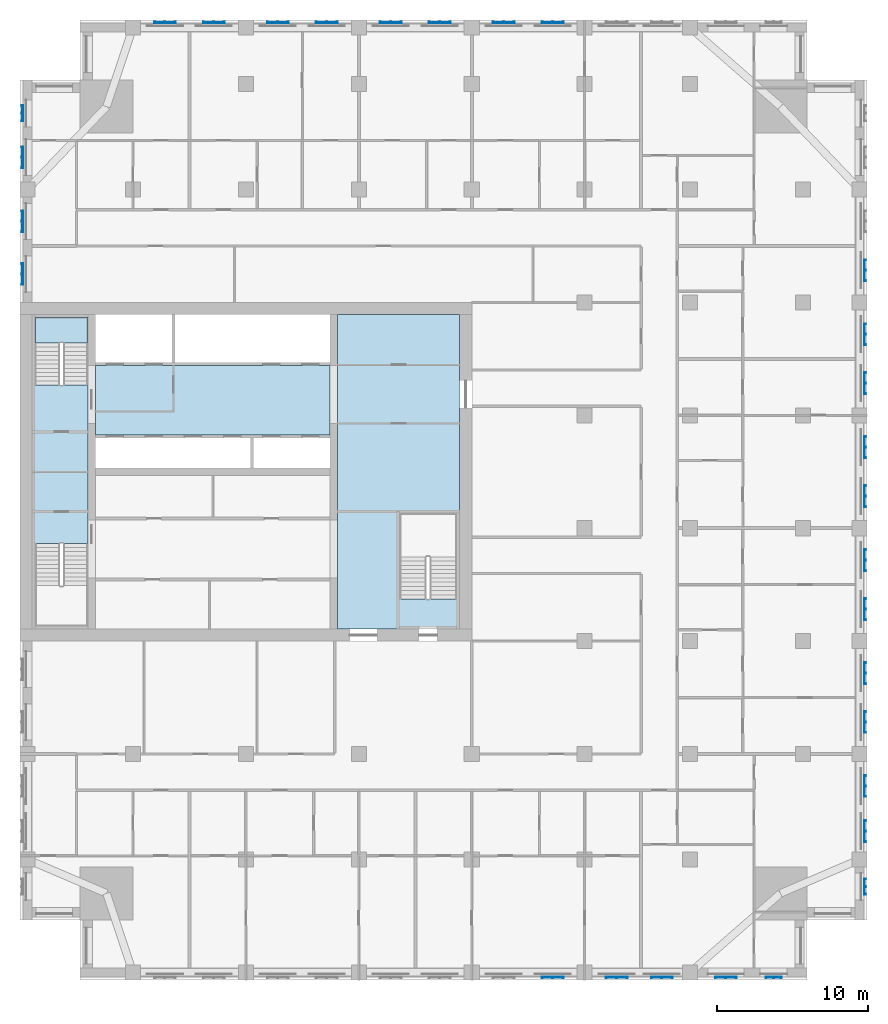
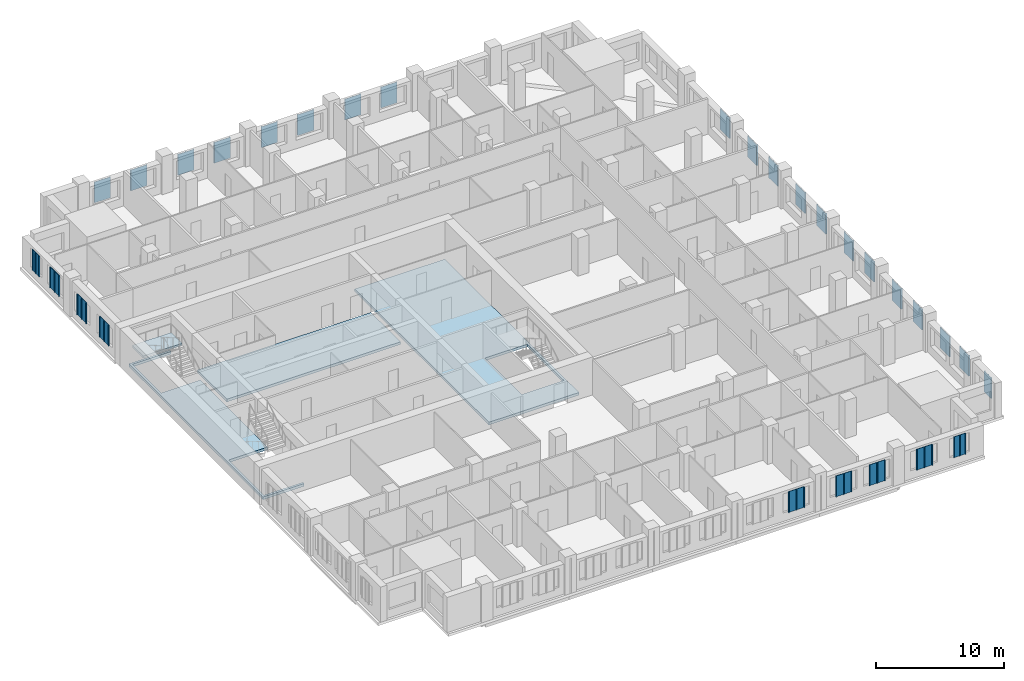
# One storey, part 2 of 13: 29 plates, 4 slabs, 1 element without a shape of its own.
"""IFC4 building model written with IfcOpenShell, lengths in metres."""

from ifc_helpers import new_model, si_unit, direction, frame, origin, place, context, subcontext, project, spatial, polyline, outline, extrude, material, layer, layer_set, type_object, element, aggregate, save


model = new_model("IFC4")

# Units and contexts
model_context = context("Model", 3, precision=1e-05, world=origin(), true_north=direction((0.0, 1.0)))
body_context = subcontext(model_context, "Body", "Model", "MODEL_VIEW")
ifc_project = project(units=[si_unit("LENGTHUNIT", "METRE"), si_unit("AREAUNIT", "SQUARE_METRE"), si_unit("VOLUMEUNIT", "CUBIC_METRE"), si_unit("PLANEANGLEUNIT", "RADIAN"), si_unit("MASSUNIT", "GRAM", prefix="KILO")], contexts=[model_context])

# Site, building, storey
site_placement = place(None, origin())
site = spatial("IfcSite", under=ifc_project, at=site_placement, CompositionType="ELEMENT")
building_placement = place(site_placement, origin())
building = spatial("IfcBuilding", under=site, at=building_placement, Name="Tamorin Gate", CompositionType="ELEMENT")
storey_placement = place(building_placement, frame((0.0, 0.0, 130.199951171875)))
storey = spatial("IfcBuildingStorey", under=building, at=storey_placement, Name="L31", CompositionType="ELEMENT", Elevation=130.199951171875)

# Slabs
ifc_material_1 = material(Name="Concrete C40/50", Category="concrete")
ifc_layer_1 = layer(ifc_material_1, 0.25)
ifc_layer_set_1 = layer_set([ifc_layer_1], Name="Core floor slab 250 C40/50")
slab_type_1 = type_object("IfcSlabType", Name="Core floor slab 250 C40/50", PredefinedType="FLOOR", material=ifc_layer_set_1)
slab_1_placement = place(storey_placement, frame((0.0, 0.0, -0.25)))
element("IfcSlab", 1, at=slab_1_placement, inside=storey, type_object=slab_type_1, Name="Core floor L31", PredefinedType="FLOOR", context=body_context, shape_type="SweptSolid", body=[
    extrude(outline(polyline([(51.10009765625, 81.699951171875), (59.199951171875, 81.699951171875), (59.199951171875, 60.800048828125), (51.10009765625, 60.800048828125), (51.10009765625, 81.699951171875)]), holes=[polyline([(55.199951171875, 62.800048828125), (59.0, 62.800048828125), (59.0, 68.5), (55.199951171875, 68.5), (55.199951171875, 62.800048828125)])]), origin(), (0.0, 0.0, 1.0), 0.25),
])
slab_2_placement = place(storey_placement, frame((0.0, 0.0, -0.25)))
element("IfcSlab", 2, at=slab_2_placement, inside=storey, type_object=slab_type_1, Name="Core floor L31", PredefinedType="FLOOR", context=body_context, shape_type="SweptSolid", body=[
    extrude(outline(polyline([(50.60009765625, 73.699951171875), (35.0, 73.699951171875), (35.0, 78.300048828125), (50.60009765625, 78.300048828125), (50.60009765625, 73.699951171875)])), origin(), (0.0, 0.0, 1.0), 0.25),
])
slab_3_placement = place(storey_placement, frame((0.0, 0.0, -0.25)))
element("IfcSlab", 3, at=slab_3_placement, inside=storey, type_object=slab_type_1, Name="Core floor L31", PredefinedType="FLOOR", context=body_context, shape_type="SweptSolid", body=[
    extrude(outline(polyline([(34.5, 60.800048828125), (30.800048828125, 60.800048828125), (30.800048828125, 81.699951171875), (34.5, 81.699951171875), (34.5, 81.5), (31.0, 81.5), (31.0, 77.0), (34.5, 77.0), (34.5, 66.5), (31.0, 66.5), (31.0, 61.0), (34.5, 61.0), (34.5, 60.800048828125)])), origin(), (0.0, 0.0, 1.0), 0.25),
])

# Stair, slab
stair_type = type_object("IfcStairType", Name="Exit stair", PredefinedType="HALF_TURN_STAIR", material=ifc_material_1)
stair_placement = place(storey_placement, origin())
stair = element("IfcStair", 4, at=stair_placement, inside=storey, type_object=stair_type, Name="L31 stair ST2", PredefinedType="HALF_TURN_STAIR")
ifc_layer_2 = layer(ifc_material_1, 0.199951171875)
ifc_layer_set_2 = layer_set([ifc_layer_2], Name="Exit stair landing 200")
slab_type_2 = type_object("IfcSlabType", Name="Exit stair landing 200", PredefinedType="LANDING", material=ifc_layer_set_2)
slab_4_placement = place(storey_placement, frame((0.0, 0.0, 1.60009765625)))
slab_4 = element("IfcSlab", 5, at=slab_4_placement, type_object=slab_type_2, Name="ST2 landing 1", PredefinedType="LANDING", context=body_context, shape_type="SweptSolid", body=[
    extrude(outline(polyline([(34.5, 79.800048828125), (34.5, 81.5), (31.0, 81.5), (31.0, 79.800048828125), (34.5, 79.800048828125)])), origin(), (0.0, 0.0, 1.0), 0.199951171875),
])
aggregate(stair, [slab_4])

# Plates
ifc_material_2 = material(Name="Perforated pale aluminium sheet", Category="aluminium")
ifc_layer_3 = layer(ifc_material_2, 0.0400390625)
ifc_layer_set_3 = layer_set([ifc_layer_3], Name="Pale metal solar screen 1080")
plate_type_1 = type_object("IfcPlateType", Name="Pale metal solar screen 1080", PredefinedType="SHEET", material=ifc_layer_set_3)
plate_1_placement = place(storey_placement, frame((0.0, 0.0, 0.7099609375)))
element("IfcPlate", 6, at=plate_1_placement, inside=storey, type_object=plate_type_1, Name="Perforated solar screen", PredefinedType="SHEET", context=body_context, shape_type="SweptSolid", body=[
    extrude(outline(polyline([(79.510009765625, 37.659912109375), (79.510009765625, 37.699951171875), (79.570068359375, 37.699951171875), (80.02001953125, 37.699951171875), (80.080078125, 37.699951171875), (80.530029296875, 37.699951171875), (80.590087890625, 37.699951171875), (80.590087890625, 37.659912109375), (80.590087890625, 37.60009765625), (80.530029296875, 37.60009765625), (80.530029296875, 37.659912109375), (80.080078125, 37.659912109375), (80.080078125, 37.60009765625), (80.02001953125, 37.60009765625), (80.02001953125, 37.659912109375), (79.570068359375, 37.659912109375), (79.570068359375, 37.60009765625), (79.510009765625, 37.60009765625), (79.510009765625, 37.659912109375)])), origin(), (0.0, 0.0, 1.0), 1.97998046875),
])
plate_2_placement = place(storey_placement, frame((0.0, 0.0, 0.7099609375)))
element("IfcPlate", 7, at=plate_2_placement, inside=storey, type_object=plate_type_1, Name="Perforated solar screen", PredefinedType="SHEET", context=body_context, shape_type="SweptSolid", body=[
    extrude(outline(polyline([(86.090087890625, 43.159912109375), (86.050048828125, 43.159912109375), (86.050048828125, 43.219970703125), (86.050048828125, 43.669921875), (86.050048828125, 43.72998046875), (86.050048828125, 44.179931640625), (86.050048828125, 44.239990234375), (86.090087890625, 44.239990234375), (86.14990234375, 44.239990234375), (86.14990234375, 44.179931640625), (86.090087890625, 44.179931640625), (86.090087890625, 43.72998046875), (86.14990234375, 43.72998046875), (86.14990234375, 43.669921875), (86.090087890625, 43.669921875), (86.090087890625, 43.219970703125), (86.14990234375, 43.219970703125), (86.14990234375, 43.159912109375), (86.090087890625, 43.159912109375)])), origin(), (0.0, 0.0, 1.0), 1.97998046875),
])
plate_3_placement = place(storey_placement, frame((0.0, 0.0, 0.7099609375)))
element("IfcPlate", 8, at=plate_3_placement, inside=storey, type_object=plate_type_1, Name="Perforated solar screen", PredefinedType="SHEET", context=body_context, shape_type="SweptSolid", body=[
    extrude(outline(polyline([(30.159912109375, 95.590087890625), (30.199951171875, 95.590087890625), (30.199951171875, 95.530029296875), (30.199951171875, 95.080078125), (30.199951171875, 95.02001953125), (30.199951171875, 94.570068359375), (30.199951171875, 94.510009765625), (30.159912109375, 94.510009765625), (30.10009765625, 94.510009765625), (30.10009765625, 94.570068359375), (30.159912109375, 94.570068359375), (30.159912109375, 95.02001953125), (30.10009765625, 95.02001953125), (30.10009765625, 95.080078125), (30.159912109375, 95.080078125), (30.159912109375, 95.530029296875), (30.10009765625, 95.530029296875), (30.10009765625, 95.590087890625), (30.159912109375, 95.590087890625)])), origin(), (0.0, 0.0, 1.0), 1.97998046875),
])
ifc_layer_4 = layer(ifc_material_2, 0.0400390625)
ifc_layer_set_4 = layer_set([ifc_layer_4], Name="Pale metal solar screen 1440")
plate_type_2 = type_object("IfcPlateType", Name="Pale metal solar screen 1440", PredefinedType="SHEET", material=ifc_layer_set_4)
plate_4_placement = place(storey_placement, frame((0.0, 0.0, 0.7099609375)))
element("IfcPlate", 9, at=plate_4_placement, inside=storey, type_object=plate_type_2, Name="Perforated solar screen", PredefinedType="SHEET", context=body_context, shape_type="SweptSolid", body=[
    extrude(outline(polyline([(64.655029296875, 37.659912109375), (64.655029296875, 37.699951171875), (64.715087890625, 37.699951171875), (65.344970703125, 37.699951171875), (65.405029296875, 37.699951171875), (66.034912109375, 37.699951171875), (66.094970703125, 37.699951171875), (66.094970703125, 37.659912109375), (66.094970703125, 37.60009765625), (66.034912109375, 37.60009765625), (66.034912109375, 37.659912109375), (65.405029296875, 37.659912109375), (65.405029296875, 37.60009765625), (65.344970703125, 37.60009765625), (65.344970703125, 37.659912109375), (64.715087890625, 37.659912109375), (64.715087890625, 37.60009765625), (64.655029296875, 37.60009765625), (64.655029296875, 37.659912109375)])), origin(), (0.0, 0.0, 1.0), 1.97998046875),
])
plate_5_placement = place(storey_placement, frame((0.0, 0.0, 0.7099609375)))
element("IfcPlate", 10, at=plate_5_placement, inside=storey, type_object=plate_type_2, Name="Perforated solar screen", PredefinedType="SHEET", context=body_context, shape_type="SweptSolid", body=[
    extrude(outline(polyline([(68.905029296875, 37.659912109375), (68.905029296875, 37.699951171875), (68.965087890625, 37.699951171875), (69.594970703125, 37.699951171875), (69.655029296875, 37.699951171875), (70.284912109375, 37.699951171875), (70.344970703125, 37.699951171875), (70.344970703125, 37.659912109375), (70.344970703125, 37.60009765625), (70.284912109375, 37.60009765625), (70.284912109375, 37.659912109375), (69.655029296875, 37.659912109375), (69.655029296875, 37.60009765625), (69.594970703125, 37.60009765625), (69.594970703125, 37.659912109375), (68.965087890625, 37.659912109375), (68.965087890625, 37.60009765625), (68.905029296875, 37.60009765625), (68.905029296875, 37.659912109375)])), origin(), (0.0, 0.0, 1.0), 1.97998046875),
])
plate_6_placement = place(storey_placement, frame((0.0, 0.0, 0.7099609375)))
element("IfcPlate", 11, at=plate_6_placement, inside=storey, type_object=plate_type_2, Name="Perforated solar screen", PredefinedType="SHEET", context=body_context, shape_type="SweptSolid", body=[
    extrude(outline(polyline([(71.905029296875, 37.659912109375), (71.905029296875, 37.699951171875), (71.965087890625, 37.699951171875), (72.594970703125, 37.699951171875), (72.655029296875, 37.699951171875), (73.284912109375, 37.699951171875), (73.344970703125, 37.699951171875), (73.344970703125, 37.659912109375), (73.344970703125, 37.60009765625), (73.284912109375, 37.60009765625), (73.284912109375, 37.659912109375), (72.655029296875, 37.659912109375), (72.655029296875, 37.60009765625), (72.594970703125, 37.60009765625), (72.594970703125, 37.659912109375), (71.965087890625, 37.659912109375), (71.965087890625, 37.60009765625), (71.905029296875, 37.60009765625), (71.905029296875, 37.659912109375)])), origin(), (0.0, 0.0, 1.0), 1.97998046875),
])
plate_7_placement = place(storey_placement, frame((0.0, 0.0, 0.7099609375)))
element("IfcPlate", 12, at=plate_7_placement, inside=storey, type_object=plate_type_2, Name="Perforated solar screen", PredefinedType="SHEET", context=body_context, shape_type="SweptSolid", body=[
    extrude(outline(polyline([(76.155029296875, 37.659912109375), (76.155029296875, 37.699951171875), (76.215087890625, 37.699951171875), (76.844970703125, 37.699951171875), (76.905029296875, 37.699951171875), (77.534912109375, 37.699951171875), (77.594970703125, 37.699951171875), (77.594970703125, 37.659912109375), (77.594970703125, 37.60009765625), (77.534912109375, 37.60009765625), (77.534912109375, 37.659912109375), (76.905029296875, 37.659912109375), (76.905029296875, 37.60009765625), (76.844970703125, 37.60009765625), (76.844970703125, 37.659912109375), (76.215087890625, 37.659912109375), (76.215087890625, 37.60009765625), (76.155029296875, 37.60009765625), (76.155029296875, 37.659912109375)])), origin(), (0.0, 0.0, 1.0), 1.97998046875),
])
plate_8_placement = place(storey_placement, frame((0.0, 0.0, 0.7099609375)))
element("IfcPlate", 13, at=plate_8_placement, inside=storey, type_object=plate_type_2, Name="Perforated solar screen", PredefinedType="SHEET", context=body_context, shape_type="SweptSolid", body=[
    extrude(outline(polyline([(86.090087890625, 46.655029296875), (86.050048828125, 46.655029296875), (86.050048828125, 46.715087890625), (86.050048828125, 47.344970703125), (86.050048828125, 47.405029296875), (86.050048828125, 48.034912109375), (86.050048828125, 48.094970703125), (86.050048828125, 48.094970703125), (86.090087890625, 48.094970703125), (86.090087890625, 48.094970703125), (86.14990234375, 48.094970703125), (86.14990234375, 48.034912109375), (86.090087890625, 48.034912109375), (86.090087890625, 47.405029296875), (86.14990234375, 47.405029296875), (86.14990234375, 47.344970703125), (86.090087890625, 47.344970703125), (86.090087890625, 46.715087890625), (86.14990234375, 46.715087890625), (86.14990234375, 46.655029296875), (86.090087890625, 46.655029296875)])), origin(), (0.0, 0.0, 1.0), 1.97998046875),
])
plate_9_placement = place(storey_placement, frame((0.0, 0.0, 0.7099609375)))
element("IfcPlate", 14, at=plate_9_placement, inside=storey, type_object=plate_type_2, Name="Perforated solar screen", PredefinedType="SHEET", context=body_context, shape_type="SweptSolid", body=[
    extrude(outline(polyline([(86.090087890625, 49.655029296875), (86.050048828125, 49.655029296875), (86.050048828125, 49.715087890625), (86.050048828125, 50.344970703125), (86.050048828125, 50.405029296875), (86.050048828125, 51.034912109375), (86.050048828125, 51.094970703125), (86.090087890625, 51.094970703125), (86.14990234375, 51.094970703125), (86.14990234375, 51.034912109375), (86.090087890625, 51.034912109375), (86.090087890625, 50.405029296875), (86.14990234375, 50.405029296875), (86.14990234375, 50.344970703125), (86.090087890625, 50.344970703125), (86.090087890625, 49.715087890625), (86.14990234375, 49.715087890625), (86.14990234375, 49.655029296875), (86.090087890625, 49.655029296875)])), origin(), (0.0, 0.0, 1.0), 1.97998046875),
])
plate_10_placement = place(storey_placement, frame((0.0, 0.0, 0.7099609375)))
element("IfcPlate", 15, at=plate_10_placement, inside=storey, type_object=plate_type_2, Name="Perforated solar screen", PredefinedType="SHEET", context=body_context, shape_type="SweptSolid", body=[
    extrude(outline(polyline([(86.090087890625, 53.905029296875), (86.050048828125, 53.905029296875), (86.050048828125, 53.965087890625), (86.050048828125, 54.594970703125), (86.050048828125, 54.655029296875), (86.050048828125, 55.284912109375), (86.050048828125, 55.344970703125), (86.090087890625, 55.344970703125), (86.14990234375, 55.344970703125), (86.14990234375, 55.284912109375), (86.090087890625, 55.284912109375), (86.090087890625, 54.655029296875), (86.14990234375, 54.655029296875), (86.14990234375, 54.594970703125), (86.090087890625, 54.594970703125), (86.090087890625, 53.965087890625), (86.14990234375, 53.965087890625), (86.14990234375, 53.905029296875), (86.090087890625, 53.905029296875)])), origin(), (0.0, 0.0, 1.0), 1.97998046875),
])
plate_11_placement = place(storey_placement, frame((0.0, 0.0, 0.7099609375)))
element("IfcPlate", 16, at=plate_11_placement, inside=storey, type_object=plate_type_2, Name="Perforated solar screen", PredefinedType="SHEET", context=body_context, shape_type="SweptSolid", body=[
    extrude(outline(polyline([(86.090087890625, 57.155029296875), (86.050048828125, 57.155029296875), (86.050048828125, 57.215087890625), (86.050048828125, 57.844970703125), (86.050048828125, 57.905029296875), (86.050048828125, 58.534912109375), (86.050048828125, 58.594970703125), (86.090087890625, 58.594970703125), (86.14990234375, 58.594970703125), (86.14990234375, 58.534912109375), (86.090087890625, 58.534912109375), (86.090087890625, 57.905029296875), (86.14990234375, 57.905029296875), (86.14990234375, 57.844970703125), (86.090087890625, 57.844970703125), (86.090087890625, 57.215087890625), (86.14990234375, 57.215087890625), (86.14990234375, 57.155029296875), (86.090087890625, 57.155029296875)])), origin(), (0.0, 0.0, 1.0), 1.97998046875),
])
plate_12_placement = place(storey_placement, frame((0.0, 0.0, 0.7099609375)))
element("IfcPlate", 17, at=plate_12_placement, inside=storey, type_object=plate_type_2, Name="Perforated solar screen", PredefinedType="SHEET", context=body_context, shape_type="SweptSolid", body=[
    extrude(outline(polyline([(86.090087890625, 61.405029296875), (86.050048828125, 61.405029296875), (86.050048828125, 61.465087890625), (86.050048828125, 62.094970703125), (86.050048828125, 62.155029296875), (86.050048828125, 62.784912109375), (86.050048828125, 62.844970703125), (86.090087890625, 62.844970703125), (86.14990234375, 62.844970703125), (86.14990234375, 62.784912109375), (86.090087890625, 62.784912109375), (86.090087890625, 62.155029296875), (86.14990234375, 62.155029296875), (86.14990234375, 62.094970703125), (86.090087890625, 62.094970703125), (86.090087890625, 61.465087890625), (86.14990234375, 61.465087890625), (86.14990234375, 61.405029296875), (86.090087890625, 61.405029296875)])), origin(), (0.0, 0.0, 1.0), 1.97998046875),
])
plate_13_placement = place(storey_placement, frame((0.0, 0.0, 0.7099609375)))
element("IfcPlate", 18, at=plate_13_placement, inside=storey, type_object=plate_type_2, Name="Perforated solar screen", PredefinedType="SHEET", context=body_context, shape_type="SweptSolid", body=[
    extrude(outline(polyline([(86.090087890625, 64.655029296875), (86.050048828125, 64.655029296875), (86.050048828125, 64.715087890625), (86.050048828125, 65.344970703125), (86.050048828125, 65.405029296875), (86.050048828125, 66.034912109375), (86.050048828125, 66.094970703125), (86.090087890625, 66.094970703125), (86.14990234375, 66.094970703125), (86.14990234375, 66.034912109375), (86.090087890625, 66.034912109375), (86.090087890625, 65.405029296875), (86.14990234375, 65.405029296875), (86.14990234375, 65.344970703125), (86.090087890625, 65.344970703125), (86.090087890625, 64.715087890625), (86.14990234375, 64.715087890625), (86.14990234375, 64.655029296875), (86.090087890625, 64.655029296875)])), origin(), (0.0, 0.0, 1.0), 1.97998046875),
])
plate_14_placement = place(storey_placement, frame((0.0, 0.0, 0.7099609375)))
element("IfcPlate", 19, at=plate_14_placement, inside=storey, type_object=plate_type_2, Name="Perforated solar screen", PredefinedType="SHEET", context=body_context, shape_type="SweptSolid", body=[
    extrude(outline(polyline([(86.090087890625, 68.905029296875), (86.050048828125, 68.905029296875), (86.050048828125, 68.965087890625), (86.050048828125, 69.594970703125), (86.050048828125, 69.655029296875), (86.050048828125, 70.284912109375), (86.050048828125, 70.344970703125), (86.090087890625, 70.344970703125), (86.14990234375, 70.344970703125), (86.14990234375, 70.284912109375), (86.090087890625, 70.284912109375), (86.090087890625, 69.655029296875), (86.14990234375, 69.655029296875), (86.14990234375, 69.594970703125), (86.090087890625, 69.594970703125), (86.090087890625, 68.965087890625), (86.14990234375, 68.965087890625), (86.14990234375, 68.905029296875), (86.090087890625, 68.905029296875)])), origin(), (0.0, 0.0, 1.0), 1.97998046875),
])
plate_15_placement = place(storey_placement, frame((0.0, 0.0, 0.7099609375)))
element("IfcPlate", 20, at=plate_15_placement, inside=storey, type_object=plate_type_2, Name="Perforated solar screen", PredefinedType="SHEET", context=body_context, shape_type="SweptSolid", body=[
    extrude(outline(polyline([(86.090087890625, 72.155029296875), (86.050048828125, 72.155029296875), (86.050048828125, 72.215087890625), (86.050048828125, 72.844970703125), (86.050048828125, 72.905029296875), (86.050048828125, 73.534912109375), (86.050048828125, 73.594970703125), (86.090087890625, 73.594970703125), (86.14990234375, 73.594970703125), (86.14990234375, 73.534912109375), (86.090087890625, 73.534912109375), (86.090087890625, 72.905029296875), (86.14990234375, 72.905029296875), (86.14990234375, 72.844970703125), (86.090087890625, 72.844970703125), (86.090087890625, 72.215087890625), (86.14990234375, 72.215087890625), (86.14990234375, 72.155029296875), (86.090087890625, 72.155029296875)])), origin(), (0.0, 0.0, 1.0), 1.97998046875),
])
plate_16_placement = place(storey_placement, frame((0.0, 0.0, 0.7099609375)))
element("IfcPlate", 21, at=plate_16_placement, inside=storey, type_object=plate_type_2, Name="Perforated solar screen", PredefinedType="SHEET", context=body_context, shape_type="SweptSolid", body=[
    extrude(outline(polyline([(86.090087890625, 76.405029296875), (86.050048828125, 76.405029296875), (86.050048828125, 76.465087890625), (86.050048828125, 77.094970703125), (86.050048828125, 77.155029296875), (86.050048828125, 77.784912109375), (86.050048828125, 77.844970703125), (86.090087890625, 77.844970703125), (86.14990234375, 77.844970703125), (86.14990234375, 77.784912109375), (86.090087890625, 77.784912109375), (86.090087890625, 77.155029296875), (86.14990234375, 77.155029296875), (86.14990234375, 77.094970703125), (86.090087890625, 77.094970703125), (86.090087890625, 76.465087890625), (86.14990234375, 76.465087890625), (86.14990234375, 76.405029296875), (86.090087890625, 76.405029296875)])), origin(), (0.0, 0.0, 1.0), 1.97998046875),
])
plate_17_placement = place(storey_placement, frame((0.0, 0.0, 0.7099609375)))
element("IfcPlate", 22, at=plate_17_placement, inside=storey, type_object=plate_type_2, Name="Perforated solar screen", PredefinedType="SHEET", context=body_context, shape_type="SweptSolid", body=[
    extrude(outline(polyline([(86.090087890625, 79.655029296875), (86.050048828125, 79.655029296875), (86.050048828125, 79.715087890625), (86.050048828125, 80.344970703125), (86.050048828125, 80.405029296875), (86.050048828125, 81.034912109375), (86.050048828125, 81.094970703125), (86.090087890625, 81.094970703125), (86.14990234375, 81.094970703125), (86.14990234375, 81.034912109375), (86.090087890625, 81.034912109375), (86.090087890625, 80.405029296875), (86.14990234375, 80.405029296875), (86.14990234375, 80.344970703125), (86.090087890625, 80.344970703125), (86.090087890625, 79.715087890625), (86.14990234375, 79.715087890625), (86.14990234375, 79.655029296875), (86.090087890625, 79.655029296875)])), origin(), (0.0, 0.0, 1.0), 1.97998046875),
])
plate_18_placement = place(storey_placement, frame((0.0, 0.0, 0.7099609375)))
element("IfcPlate", 23, at=plate_18_placement, inside=storey, type_object=plate_type_2, Name="Perforated solar screen", PredefinedType="SHEET", context=body_context, shape_type="SweptSolid", body=[
    extrude(outline(polyline([(86.090087890625, 83.905029296875), (86.050048828125, 83.905029296875), (86.050048828125, 83.965087890625), (86.050048828125, 84.594970703125), (86.050048828125, 84.655029296875), (86.050048828125, 85.284912109375), (86.050048828125, 85.344970703125), (86.090087890625, 85.344970703125), (86.14990234375, 85.344970703125), (86.14990234375, 85.284912109375), (86.090087890625, 85.284912109375), (86.090087890625, 84.655029296875), (86.14990234375, 84.655029296875), (86.14990234375, 84.594970703125), (86.090087890625, 84.594970703125), (86.090087890625, 83.965087890625), (86.14990234375, 83.965087890625), (86.14990234375, 83.905029296875), (86.090087890625, 83.905029296875)])), origin(), (0.0, 0.0, 1.0), 1.97998046875),
])
plate_19_placement = place(storey_placement, frame((0.0, 0.0, 0.7099609375)))
element("IfcPlate", 24, at=plate_19_placement, inside=storey, type_object=plate_type_2, Name="Perforated solar screen", PredefinedType="SHEET", context=body_context, shape_type="SweptSolid", body=[
    extrude(outline(polyline([(62.844970703125, 101.090087890625), (62.844970703125, 101.050048828125), (62.784912109375, 101.050048828125), (62.155029296875, 101.050048828125), (62.094970703125, 101.050048828125), (61.465087890625, 101.050048828125), (61.405029296875, 101.050048828125), (61.405029296875, 101.090087890625), (61.405029296875, 101.14990234375), (61.465087890625, 101.14990234375), (61.465087890625, 101.090087890625), (62.094970703125, 101.090087890625), (62.094970703125, 101.14990234375), (62.155029296875, 101.14990234375), (62.155029296875, 101.090087890625), (62.784912109375, 101.090087890625), (62.784912109375, 101.14990234375), (62.844970703125, 101.14990234375), (62.844970703125, 101.090087890625)])), origin(), (0.0, 0.0, 1.0), 1.97998046875),
])
plate_20_placement = place(storey_placement, frame((0.0, 0.0, 0.7099609375)))
element("IfcPlate", 25, at=plate_20_placement, inside=storey, type_object=plate_type_2, Name="Perforated solar screen", PredefinedType="SHEET", context=body_context, shape_type="SweptSolid", body=[
    extrude(outline(polyline([(66.094970703125, 101.090087890625), (66.094970703125, 101.050048828125), (66.034912109375, 101.050048828125), (65.405029296875, 101.050048828125), (65.344970703125, 101.050048828125), (64.715087890625, 101.050048828125), (64.655029296875, 101.050048828125), (64.655029296875, 101.090087890625), (64.655029296875, 101.14990234375), (64.715087890625, 101.14990234375), (64.715087890625, 101.090087890625), (65.344970703125, 101.090087890625), (65.344970703125, 101.14990234375), (65.405029296875, 101.14990234375), (65.405029296875, 101.090087890625), (66.034912109375, 101.090087890625), (66.034912109375, 101.14990234375), (66.094970703125, 101.14990234375), (66.094970703125, 101.090087890625)])), origin(), (0.0, 0.0, 1.0), 1.97998046875),
])
plate_21_placement = place(storey_placement, frame((0.0, 0.0, 0.7099609375)))
element("IfcPlate", 26, at=plate_21_placement, inside=storey, type_object=plate_type_2, Name="Perforated solar screen", PredefinedType="SHEET", context=body_context, shape_type="SweptSolid", body=[
    extrude(outline(polyline([(55.344970703125, 101.090087890625), (55.344970703125, 101.050048828125), (55.284912109375, 101.050048828125), (54.655029296875, 101.050048828125), (54.594970703125, 101.050048828125), (53.965087890625, 101.050048828125), (53.905029296875, 101.050048828125), (53.905029296875, 101.090087890625), (53.905029296875, 101.14990234375), (53.965087890625, 101.14990234375), (53.965087890625, 101.090087890625), (54.594970703125, 101.090087890625), (54.594970703125, 101.14990234375), (54.655029296875, 101.14990234375), (54.655029296875, 101.090087890625), (55.284912109375, 101.090087890625), (55.284912109375, 101.14990234375), (55.344970703125, 101.14990234375), (55.344970703125, 101.090087890625)])), origin(), (0.0, 0.0, 1.0), 1.97998046875),
])
plate_22_placement = place(storey_placement, frame((0.0, 0.0, 0.7099609375)))
element("IfcPlate", 27, at=plate_22_placement, inside=storey, type_object=plate_type_2, Name="Perforated solar screen", PredefinedType="SHEET", context=body_context, shape_type="SweptSolid", body=[
    extrude(outline(polyline([(58.594970703125, 101.090087890625), (58.594970703125, 101.050048828125), (58.534912109375, 101.050048828125), (57.905029296875, 101.050048828125), (57.844970703125, 101.050048828125), (57.215087890625, 101.050048828125), (57.155029296875, 101.050048828125), (57.155029296875, 101.090087890625), (57.155029296875, 101.14990234375), (57.215087890625, 101.14990234375), (57.215087890625, 101.090087890625), (57.844970703125, 101.090087890625), (57.844970703125, 101.14990234375), (57.905029296875, 101.14990234375), (57.905029296875, 101.090087890625), (58.534912109375, 101.090087890625), (58.534912109375, 101.14990234375), (58.594970703125, 101.14990234375), (58.594970703125, 101.090087890625)])), origin(), (0.0, 0.0, 1.0), 1.97998046875),
])
plate_23_placement = place(storey_placement, frame((0.0, 0.0, 0.7099609375)))
element("IfcPlate", 28, at=plate_23_placement, inside=storey, type_object=plate_type_2, Name="Perforated solar screen", PredefinedType="SHEET", context=body_context, shape_type="SweptSolid", body=[
    extrude(outline(polyline([(47.844970703125, 101.090087890625), (47.844970703125, 101.050048828125), (47.784912109375, 101.050048828125), (47.155029296875, 101.050048828125), (47.094970703125, 101.050048828125), (46.465087890625, 101.050048828125), (46.405029296875, 101.050048828125), (46.405029296875, 101.090087890625), (46.405029296875, 101.14990234375), (46.465087890625, 101.14990234375), (46.465087890625, 101.090087890625), (47.094970703125, 101.090087890625), (47.094970703125, 101.14990234375), (47.155029296875, 101.14990234375), (47.155029296875, 101.090087890625), (47.784912109375, 101.090087890625), (47.784912109375, 101.14990234375), (47.844970703125, 101.14990234375), (47.844970703125, 101.090087890625)])), origin(), (0.0, 0.0, 1.0), 1.97998046875),
])
plate_24_placement = place(storey_placement, frame((0.0, 0.0, 0.7099609375)))
element("IfcPlate", 29, at=plate_24_placement, inside=storey, type_object=plate_type_2, Name="Perforated solar screen", PredefinedType="SHEET", context=body_context, shape_type="SweptSolid", body=[
    extrude(outline(polyline([(51.094970703125, 101.090087890625), (51.094970703125, 101.050048828125), (51.034912109375, 101.050048828125), (50.405029296875, 101.050048828125), (50.344970703125, 101.050048828125), (49.715087890625, 101.050048828125), (49.655029296875, 101.050048828125), (49.655029296875, 101.090087890625), (49.655029296875, 101.14990234375), (49.715087890625, 101.14990234375), (49.715087890625, 101.090087890625), (50.344970703125, 101.090087890625), (50.344970703125, 101.14990234375), (50.405029296875, 101.14990234375), (50.405029296875, 101.090087890625), (51.034912109375, 101.090087890625), (51.034912109375, 101.14990234375), (51.094970703125, 101.14990234375), (51.094970703125, 101.090087890625)])), origin(), (0.0, 0.0, 1.0), 1.97998046875),
])
plate_25_placement = place(storey_placement, frame((0.0, 0.0, 0.7099609375)))
element("IfcPlate", 30, at=plate_25_placement, inside=storey, type_object=plate_type_2, Name="Perforated solar screen", PredefinedType="SHEET", context=body_context, shape_type="SweptSolid", body=[
    extrude(outline(polyline([(40.344970703125, 101.090087890625), (40.344970703125, 101.050048828125), (40.284912109375, 101.050048828125), (39.655029296875, 101.050048828125), (39.594970703125, 101.050048828125), (38.965087890625, 101.050048828125), (38.905029296875, 101.050048828125), (38.905029296875, 101.090087890625), (38.905029296875, 101.14990234375), (38.965087890625, 101.14990234375), (38.965087890625, 101.090087890625), (39.594970703125, 101.090087890625), (39.594970703125, 101.14990234375), (39.655029296875, 101.14990234375), (39.655029296875, 101.090087890625), (40.284912109375, 101.090087890625), (40.284912109375, 101.14990234375), (40.344970703125, 101.14990234375), (40.344970703125, 101.090087890625)])), origin(), (0.0, 0.0, 1.0), 1.97998046875),
])
plate_26_placement = place(storey_placement, frame((0.0, 0.0, 0.7099609375)))
element("IfcPlate", 31, at=plate_26_placement, inside=storey, type_object=plate_type_2, Name="Perforated solar screen", PredefinedType="SHEET", context=body_context, shape_type="SweptSolid", body=[
    extrude(outline(polyline([(43.594970703125, 101.090087890625), (43.594970703125, 101.050048828125), (43.534912109375, 101.050048828125), (42.905029296875, 101.050048828125), (42.844970703125, 101.050048828125), (42.215087890625, 101.050048828125), (42.155029296875, 101.050048828125), (42.155029296875, 101.090087890625), (42.155029296875, 101.14990234375), (42.215087890625, 101.14990234375), (42.215087890625, 101.090087890625), (42.844970703125, 101.090087890625), (42.844970703125, 101.14990234375), (42.905029296875, 101.14990234375), (42.905029296875, 101.090087890625), (43.534912109375, 101.090087890625), (43.534912109375, 101.14990234375), (43.594970703125, 101.14990234375), (43.594970703125, 101.090087890625)])), origin(), (0.0, 0.0, 1.0), 1.97998046875),
])
plate_27_placement = place(storey_placement, frame((0.0, 0.0, 0.7099609375)))
element("IfcPlate", 32, at=plate_27_placement, inside=storey, type_object=plate_type_2, Name="Perforated solar screen", PredefinedType="SHEET", context=body_context, shape_type="SweptSolid", body=[
    extrude(outline(polyline([(30.159912109375, 92.844970703125), (30.199951171875, 92.844970703125), (30.199951171875, 92.784912109375), (30.199951171875, 92.155029296875), (30.199951171875, 92.094970703125), (30.199951171875, 91.465087890625), (30.199951171875, 91.405029296875), (30.199951171875, 91.405029296875), (30.159912109375, 91.405029296875), (30.159912109375, 91.405029296875), (30.10009765625, 91.405029296875), (30.10009765625, 91.465087890625), (30.159912109375, 91.465087890625), (30.159912109375, 92.094970703125), (30.10009765625, 92.094970703125), (30.10009765625, 92.155029296875), (30.159912109375, 92.155029296875), (30.159912109375, 92.784912109375), (30.10009765625, 92.784912109375), (30.10009765625, 92.844970703125), (30.159912109375, 92.844970703125)])), origin(), (0.0, 0.0, 1.0), 1.97998046875),
])
plate_28_placement = place(storey_placement, frame((0.0, 0.0, 0.7099609375)))
element("IfcPlate", 33, at=plate_28_placement, inside=storey, type_object=plate_type_2, Name="Perforated solar screen", PredefinedType="SHEET", context=body_context, shape_type="SweptSolid", body=[
    extrude(outline(polyline([(30.159912109375, 85.094970703125), (30.199951171875, 85.094970703125), (30.199951171875, 85.034912109375), (30.199951171875, 84.405029296875), (30.199951171875, 84.344970703125), (30.199951171875, 83.715087890625), (30.199951171875, 83.655029296875), (30.159912109375, 83.655029296875), (30.10009765625, 83.655029296875), (30.10009765625, 83.715087890625), (30.159912109375, 83.715087890625), (30.159912109375, 84.344970703125), (30.10009765625, 84.344970703125), (30.10009765625, 84.405029296875), (30.159912109375, 84.405029296875), (30.159912109375, 85.034912109375), (30.10009765625, 85.034912109375), (30.10009765625, 85.094970703125), (30.159912109375, 85.094970703125)])), origin(), (0.0, 0.0, 1.0), 1.97998046875),
])
plate_29_placement = place(storey_placement, frame((0.0, 0.0, 0.7099609375)))
element("IfcPlate", 34, at=plate_29_placement, inside=storey, type_object=plate_type_2, Name="Perforated solar screen", PredefinedType="SHEET", context=body_context, shape_type="SweptSolid", body=[
    extrude(outline(polyline([(30.159912109375, 88.594970703125), (30.199951171875, 88.594970703125), (30.199951171875, 88.534912109375), (30.199951171875, 87.905029296875), (30.199951171875, 87.844970703125), (30.199951171875, 87.215087890625), (30.199951171875, 87.155029296875), (30.159912109375, 87.155029296875), (30.10009765625, 87.155029296875), (30.10009765625, 87.215087890625), (30.159912109375, 87.215087890625), (30.159912109375, 87.844970703125), (30.10009765625, 87.844970703125), (30.10009765625, 87.905029296875), (30.159912109375, 87.905029296875), (30.159912109375, 88.534912109375), (30.10009765625, 88.534912109375), (30.10009765625, 88.594970703125), (30.159912109375, 88.594970703125)])), origin(), (0.0, 0.0, 1.0), 1.97998046875),
])

save(model, "model.ifc")
